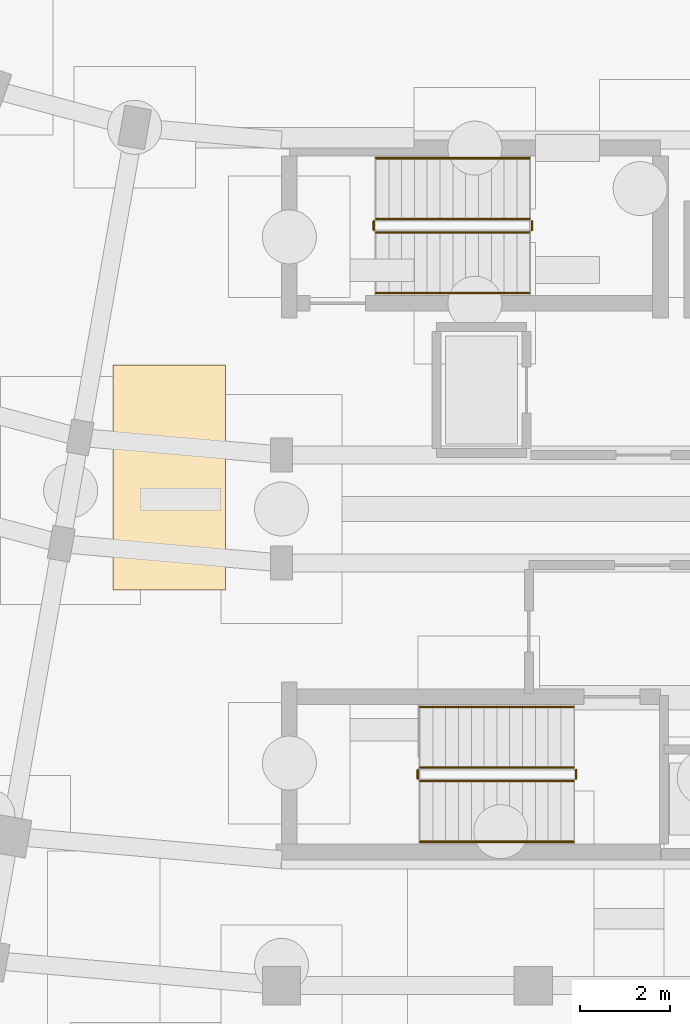
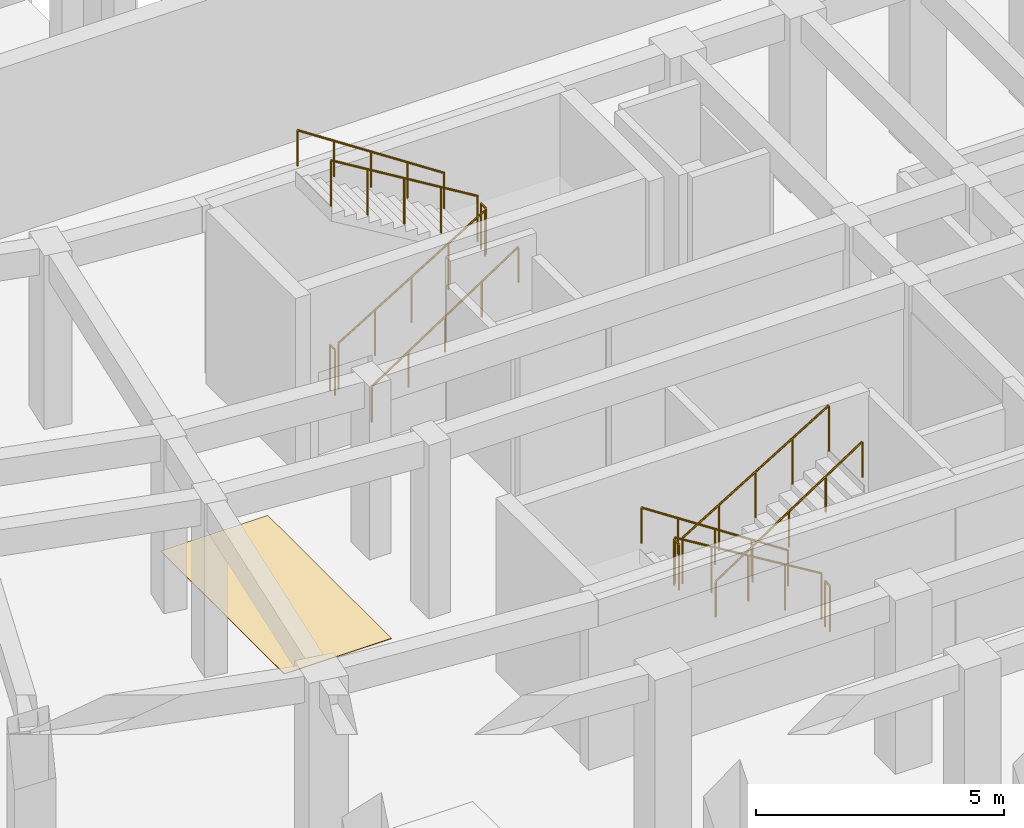
# One storey, part 41 of 53: 12 railings, 1 covering.
"""IFC4 building model written with IfcOpenShell, lengths in metres."""

import ifcopenshell
import ifcopenshell.guid

model = None  # the IFC model being written
_history = None  # IfcOwnerHistory: only IFC2X3 demands one
_inside = {}  # id of a spatial element -> (the spatial element, [elements in it])
_under = {}  # id of a project, library or spatial element -> (it, [spatial elements below it])
_declared = {}  # id of a project -> (the project, [libraries it declares])
_typed = {}  # id of a type object -> (the type object, [elements of that type])
_made_of = {}  # id of a material, layer set ... -> (it, [elements and type objects made of it])


def new_model(schema):
    """Start an empty IFC model of exactly this schema.

    Asked for "IFC4X3", IfcOpenShell would pick the latest addendum, in which some entities
    have other attributes; the version numbers below select the first issue.
    IFC2X3 requires an IfcOwnerHistory on every rooted entity: one is made here for all.
    """
    global model, _history
    if schema == "IFC4X3":
        model = ifcopenshell.file(schema_version=(4, 3, 0, 0))
    else:
        model = ifcopenshell.file(schema=schema)
    _inside.clear()
    _under.clear()
    _declared.clear()
    _typed.clear()
    _made_of.clear()
    _history = None
    if model.schema == "IFC2X3":
        org = make("IfcOrganization", Name="unknown")
        user = make(
            "IfcPersonAndOrganization",
            ThePerson=make("IfcPerson", FamilyName="unknown"),
            TheOrganization=org,
        )
        app = make(
            "IfcApplication",
            ApplicationDeveloper=org,
            Version="unknown",
            ApplicationFullName="unknown",
            ApplicationIdentifier="unknown",
        )
        _history = make(
            "IfcOwnerHistory",
            OwningUser=user,
            OwningApplication=app,
            ChangeAction="ADDED",
            CreationDate=0,
        )
    return model


def make(cls, **values):
    """One entity of the class cls with the attributes given. An attribute that is None is left unset."""
    return model.create_entity(
        cls, **{name: value for name, value in values.items() if value is not None}
    )


def rooted(cls, **values):
    """An entity with a GlobalId (a new one), such as an element, a storey or a relation."""
    return make(cls, GlobalId=ifcopenshell.guid.new(), OwnerHistory=_history, **values)


def si_unit(unit_type, name, prefix=None):
    """IfcSIUnit, for example si_unit("LENGTHUNIT", "METRE", prefix="MILLI")."""
    return make("IfcSIUnit", UnitType=unit_type, Prefix=prefix, Name=name)


def assignment(units):
    """IfcUnitAssignment: the units of a project."""
    return None if units is None else make("IfcUnitAssignment", Units=units)


def point(xyz):
    """IfcCartesianPoint."""
    return None if xyz is None else make("IfcCartesianPoint", Coordinates=xyz)


def direction(xyz):
    """IfcDirection."""
    return None if xyz is None else make("IfcDirection", DirectionRatios=xyz)


def frame(location, z_axis=None, x_axis=None):
    """IfcAxis2Placement3D, a coordinate frame: its origin and axes. An axis left out is left unset."""
    return make(
        "IfcAxis2Placement3D",
        Location=point(location),
        Axis=direction(z_axis),
        RefDirection=direction(x_axis),
    )


def frame_2d(location, x_axis=None):
    """IfcAxis2Placement2D, a coordinate frame in the plane: its origin and x axis."""
    return make(
        "IfcAxis2Placement2D", Location=point(location), RefDirection=direction(x_axis)
    )


def origin():
    """The frame at (0, 0, 0) with its axes left unset."""
    return frame((0.0, 0.0, 0.0))


def origin_2d():
    """The frame at (0, 0) in the plane with its x axis left unset."""
    return frame_2d((0.0, 0.0))


def place(relative_to, where):
    """IfcLocalPlacement: puts the frame where relative to a parent placement (None: the world)."""
    return make(
        "IfcLocalPlacement", PlacementRelTo=relative_to, RelativePlacement=where
    )


def context(
    kind, dimensions, precision=None, world=None, true_north=None, identifier=None
):
    """IfcGeometricRepresentationContext, for example the 3D "Model" context."""
    return make(
        "IfcGeometricRepresentationContext",
        ContextIdentifier=identifier,
        ContextType=kind,
        CoordinateSpaceDimension=dimensions,
        Precision=precision,
        WorldCoordinateSystem=world,
        TrueNorth=true_north,
    )


def subcontext(parent, identifier, kind, view, scale=None):
    """IfcGeometricRepresentationSubContext, for example "Body" below "Model"."""
    return make(
        "IfcGeometricRepresentationSubContext",
        ContextIdentifier=identifier,
        ContextType=kind,
        ParentContext=parent,
        TargetScale=scale,
        TargetView=view,
    )


def project(units=None, contexts=None):
    """IfcProject with its units and contexts."""
    return rooted(
        "IfcProject",
        Name="project",
        RepresentationContexts=contexts,
        UnitsInContext=assignment(units),
    )


def spatial(cls, under=None, at=None, **own):
    """A site, building, storey or space (cls), placed at a placement, below another one or the project."""
    s = rooted(cls, ObjectPlacement=at, **own)
    if under is not None:
        _under.setdefault(under.id(), (under, []))[1].append(s)
    return s


def polyline(points):
    """IfcPolyline through the points."""
    return make("IfcPolyline", Points=[point(p) for p in points])


def profile(cls, at=None, kind="AREA", **sizes):
    """A parametric profile (cls). Its sizes go by their IFC names, for example OverallWidth=200.0."""
    return make(cls, ProfileType=kind, Position=at, **sizes)


def circle(**sizes):
    """IfcCircleProfileDef."""
    return profile("IfcCircleProfileDef", **sizes)


def outline(outer, holes=None, kind="AREA"):
    """IfcArbitraryClosedProfileDef: a profile drawn as a closed curve; with holes, ...WithVoids."""
    if holes is None:
        return make("IfcArbitraryClosedProfileDef", ProfileType=kind, OuterCurve=outer)
    return make(
        "IfcArbitraryProfileDefWithVoids",
        ProfileType=kind,
        OuterCurve=outer,
        InnerCurves=holes,
    )


def extrude(swept, where, along, depth):
    """IfcExtrudedAreaSolid: the profile swept, set in the frame where, extruded along a direction by depth."""
    return make(
        "IfcExtrudedAreaSolid",
        SweptArea=swept,
        Position=where,
        ExtrudedDirection=direction(along),
        Depth=depth,
    )


def shape(context_of_items, identifier, shape_type, items):
    """IfcShapeRepresentation: the items that make up one representation, for example the "Body"."""
    return make(
        "IfcShapeRepresentation",
        ContextOfItems=context_of_items,
        RepresentationIdentifier=identifier,
        RepresentationType=shape_type,
        Items=items,
    )


def material(Name=None, Category=None):
    """IfcMaterial."""
    return make("IfcMaterial", Name=Name, Category=Category)


def layer(
    of_material, thickness, ventilated=None, Name=None, Category=None, Priority=None
):
    """IfcMaterialLayer: one layer of a wall or slab, of a material (None: an air gap)."""
    return make(
        "IfcMaterialLayer",
        Material=of_material,
        LayerThickness=thickness,
        IsVentilated=ventilated,
        Name=Name,
        Category=Category,
        Priority=Priority,
    )


def layer_set(layers, Name=None):
    """IfcMaterialLayerSet."""
    return make("IfcMaterialLayerSet", MaterialLayers=layers, LayerSetName=Name)


def made_of(thing, what):
    """Note that an element or type object is made of a material, layer set ...; save() writes the relation."""
    if what is not None:
        _made_of.setdefault(what.id(), (what, []))[1].append(thing)
    return thing


def type_object(cls, material=None, **own):
    """A type object (cls), such as IfcWallType, which elements share."""
    return made_of(rooted(cls, **own), material)


def element(
    cls,
    number,
    at=None,
    inside=None,
    cuts=None,
    type_object=None,
    material=None,
    context=None,
    identifier="Body",
    shape_type=None,
    held_by="IfcProductDefinitionShape",
    body=None,
    shapes=None,
    **own,
):
    """One element of the class cls, such as IfcWall. Its Tag is "e" and its number.

    at: its placement. inside: the storey or other place that contains it. cuts: it is an
    opening in that element (IfcRelVoidsElement). A single representation is given by context,
    identifier, shape_type and body (its items); several are given by shapes. held_by: the class
    of the entity that holds the representations. save() writes the other relations.
    """
    e = rooted(cls, Tag="e%d" % number, ObjectPlacement=at, **own)
    if body is not None:
        shapes = [shape(context, identifier, shape_type, body)]
    if shapes is not None:
        e.Representation = make(held_by, Representations=shapes)
    if inside is not None:
        _inside.setdefault(inside.id(), (inside, []))[1].append(e)
    if cuts is not None:
        rooted(
            "IfcRelVoidsElement", RelatingBuildingElement=cuts, RelatedOpeningElement=e
        )
    if type_object is not None:
        _typed.setdefault(type_object.id(), (type_object, []))[1].append(e)
    return made_of(e, material)


def aggregate(whole, parts):
    """IfcRelAggregates: a whole, such as a stair, and the parts it consists of."""
    return rooted("IfcRelAggregates", RelatingObject=whole, RelatedObjects=parts)


def save(model, path):
    """Write the relations noted so far, then the file.

    IfcRelAggregates (storeys below a building ...), IfcRelContainedInSpatialStructure (elements
    in a storey), IfcRelDefinesByType, IfcRelAssociatesMaterial and IfcRelDeclares: one each for
    every whole, place, type object, material and project.
    """
    for whole, parts in _under.values():
        aggregate(whole, parts)
    for where, things in _inside.values():
        rooted(
            "IfcRelContainedInSpatialStructure",
            RelatedElements=things,
            RelatingStructure=where,
        )
    for kind, things in _typed.values():
        rooted("IfcRelDefinesByType", RelatedObjects=things, RelatingType=kind)
    for what, things in _made_of.values():
        rooted("IfcRelAssociatesMaterial", RelatedObjects=things, RelatingMaterial=what)
    for by, libraries in _declared.values():
        rooted("IfcRelDeclares", RelatingContext=by, RelatedDefinitions=libraries)
    model.write(path)


model = new_model("IFC4")

# Units and contexts
model_context = context("Model", 3, precision=1e-05, world=origin(), true_north=direction((0.0, 1.0)))
body_context = subcontext(model_context, "Body", "Model", "MODEL_VIEW")
ifc_project = project(units=[si_unit("LENGTHUNIT", "METRE"), si_unit("AREAUNIT", "SQUARE_METRE"), si_unit("VOLUMEUNIT", "CUBIC_METRE"), si_unit("PLANEANGLEUNIT", "RADIAN"), si_unit("MASSUNIT", "GRAM", prefix="KILO")], contexts=[model_context])

# Site, building, storey
site_placement = place(None, origin())
site = spatial("IfcSite", under=ifc_project, at=site_placement, CompositionType="ELEMENT")
building_placement = place(site_placement, origin())
building = spatial("IfcBuilding", under=site, at=building_placement, Name="Kiranvali Square Residences", CompositionType="ELEMENT")
storey_placement = place(building_placement, frame((0.0, 0.0, -4.5)))
storey = spatial("IfcBuildingStorey", under=building, at=storey_placement, Name="B1", CompositionType="ELEMENT", Elevation=-4.5)

# Covering
ifc_material_1 = material(Name="Polished terrazzo and anti-slip vitrified floor finish", Category="stone")
ifc_layer = layer(ifc_material_1, 0.014892578125)
ifc_layer_set = layer_set([ifc_layer], Name="Polished terrazzo and anti-slip vitrified floor finish")
covering_type = type_object("IfcCoveringType", Name="COV-BAY-STD", PredefinedType="FLOORING", material=ifc_layer_set)
covering_placement = place(storey_placement, origin())
element("IfcCovering", 1, at=covering_placement, inside=storey, type_object=covering_type, Name="Standard Car Parking Bay P-001", PredefinedType="FLOORING", context=body_context, shape_type="SweptSolid", body=[
    extrude(outline(polyline([(44.449951171875, 19.39990234375), (46.949951171875, 19.39990234375), (46.949951171875, 24.39990234375), (44.449951171875, 24.39990234375), (44.449951171875, 19.39990234375)])), origin(), (0.0, 0.0, 1.0), 0.014892578125),
])

# Railings
ifc_material_2 = material(Name="Brushed stainless steel tubular handrail", Category="steel")
railing_type_1 = type_object("IfcRailingType", Name="RL-HANDRAIL-900", PredefinedType="HANDRAIL", material=ifc_material_2)
railing_1_placement = place(storey_placement, frame((54.699951171875, 16.800048828125, 0.173095703125)))
element("IfcRailing", 2, at=railing_1_placement, inside=storey, type_object=railing_type_1, Name="B1 ST-C1 stair handrail 1", PredefinedType="HANDRAIL", context=body_context, shape_type="SweptSolid", body=[
    extrude(circle(Radius=0.02392578125, at=origin_2d()), frame((0.0, 0.0, 0.8759765625), z_axis=(-0.835411317272, 0.0, 0.549625264133), x_axis=(0.0, -1.0, 0.0)), (0.0, 0.0, 1.0), 4.09375),
    extrude(circle(Radius=0.02099609375, at=origin_2d()), origin(), (0.0, 0.0, 1.0), 0.851806640625),
    extrude(circle(Radius=0.02099609375, at=origin_2d()), frame((-0.85498046875, 0.0, 0.5625)), (0.0, 0.0, 1.0), 0.851806640625),
    extrude(circle(Radius=0.02099609375, at=origin_2d()), frame((-1.7099609375, 0.0, 1.125)), (0.0, 0.0, 1.0), 0.851806640625),
    extrude(circle(Radius=0.02099609375, at=origin_2d()), frame((-2.56494140625, 0.0, 1.6875)), (0.0, 0.0, 1.0), 0.851806640625),
    extrude(circle(Radius=0.02099609375, at=origin_2d()), frame((-3.419921875, 0.0, 2.25)), (0.0, 0.0, 1.0), 0.851806640625),
])
for number, where, name in (
    (3, (51.280029296875, 13.800048828125, 2.423095703125), "B1 ST-C1 stair handrail 2"),
    (4, (50.300048828125, 26.0, 0.173095703125), "B1 ST-C2 stair handrail 1"),
):
    element("IfcRailing", number, at=place(storey_placement, frame(where)), inside=storey, type_object=railing_type_1, Name=name, PredefinedType="HANDRAIL", context=body_context, shape_type="SweptSolid", body=[
        extrude(circle(Radius=0.02392578125, at=origin_2d()), frame((0.0, 0.0, 0.8759765625), z_axis=(0.835411317272, 0.0, 0.549625264133), x_axis=(0.0, 1.0, 0.0)), (0.0, 0.0, 1.0), 4.09375),
        extrude(circle(Radius=0.02099609375, at=origin_2d()), origin(), (0.0, 0.0, 1.0), 0.851806640625),
        extrude(circle(Radius=0.02099609375, at=origin_2d()), frame((0.85498046875, 0.0, 0.5625)), (0.0, 0.0, 1.0), 0.851806640625),
        extrude(circle(Radius=0.02099609375, at=origin_2d()), frame((1.7099609375, 0.0, 1.125)), (0.0, 0.0, 1.0), 0.851806640625),
        extrude(circle(Radius=0.02099609375, at=origin_2d()), frame((2.56494140625, 0.0, 1.6875)), (0.0, 0.0, 1.0), 0.851806640625),
        extrude(circle(Radius=0.02099609375, at=origin_2d()), frame((3.419921875, 0.0, 2.25)), (0.0, 0.0, 1.0), 0.851806640625),
    ])
railing_2_placement = place(storey_placement, frame((53.719970703125, 29.0, 2.423095703125)))
element("IfcRailing", 5, at=railing_2_placement, inside=storey, type_object=railing_type_1, Name="B1 ST-C2 stair handrail 2", PredefinedType="HANDRAIL", context=body_context, shape_type="SweptSolid", body=[
    extrude(circle(Radius=0.02392578125, at=origin_2d()), frame((0.0, 0.0, 0.8759765625), z_axis=(-0.835411317272, 0.0, 0.549625264133), x_axis=(0.0, -1.0, 0.0)), (0.0, 0.0, 1.0), 4.09375),
    extrude(circle(Radius=0.02099609375, at=origin_2d()), origin(), (0.0, 0.0, 1.0), 0.851806640625),
    extrude(circle(Radius=0.02099609375, at=origin_2d()), frame((-0.85498046875, 0.0, 0.5625)), (0.0, 0.0, 1.0), 0.851806640625),
    extrude(circle(Radius=0.02099609375, at=origin_2d()), frame((-1.7099609375, 0.0, 1.125)), (0.0, 0.0, 1.0), 0.851806640625),
    extrude(circle(Radius=0.02099609375, at=origin_2d()), frame((-2.56494140625, 0.0, 1.6875)), (0.0, 0.0, 1.0), 0.851806640625),
    extrude(circle(Radius=0.02099609375, at=origin_2d()), frame((-3.419921875, 0.0, 2.25)), (0.0, 0.0, 1.0), 0.851806640625),
])
ifc_material_3 = material(Name="Powder-coated architectural bronze balustrade", Category="steel")
railing_type_2 = type_object("IfcRailingType", Name="RL-ST-GUARD-1200", PredefinedType="GUARDRAIL", material=ifc_material_3)
railing_3_placement = place(storey_placement, frame((54.699951171875, 15.449951171875, 0.173095703125)))
element("IfcRailing", 6, at=railing_3_placement, inside=storey, type_object=railing_type_2, Name="B1 ST-C1 stair guard 1", PredefinedType="GUARDRAIL", context=body_context, shape_type="SweptSolid", body=[
    extrude(circle(Radius=0.02392578125, at=origin_2d()), frame((0.0, 0.0, 1.1259765625), z_axis=(-0.854729506542, 0.0, 0.519073665916), x_axis=(0.0, -1.0, 0.0)), (0.0, 0.0, 1.0), 4.001220703125),
    extrude(circle(Radius=0.02099609375, at=origin_2d()), origin(), (0.0, 0.0, 1.0), 1.101806640625),
    extrude(circle(Radius=0.02099609375, at=origin_2d()), frame((-0.85498046875, 0.0, 0.519287109375)), (0.0, 0.0, 1.0), 1.101806640625),
    extrude(circle(Radius=0.02099609375, at=origin_2d()), frame((-1.7099609375, 0.0, 1.03857421875)), (0.0, 0.0, 1.0), 1.101806640625),
    extrude(circle(Radius=0.02099609375, at=origin_2d()), frame((-2.56494140625, 0.0, 1.5576171875)), (0.0, 0.0, 1.0), 1.101806640625),
    extrude(circle(Radius=0.02099609375, at=origin_2d()), frame((-3.419921875, 0.0, 2.076904296875)), (0.0, 0.0, 1.0), 1.101806640625),
])
railing_4_placement = place(storey_placement, frame((51.22998046875, 15.39990234375, 2.25)))
element("IfcRailing", 7, at=railing_4_placement, inside=storey, type_object=railing_type_2, Name="B1 ST-C1 stair guard 2", PredefinedType="GUARDRAIL", context=body_context, shape_type="SweptSolid", body=[
    extrude(circle(Radius=0.02392578125, at=origin_2d()), frame((0.0, 0.0, 1.1259765625), z_axis=(0.0, -1.0, 0.0), x_axis=(1.0, 0.0, 0.0)), (0.0, 0.0, 1.0), 0.199951171875),
    extrude(circle(Radius=0.02099609375, at=origin_2d()), origin(), (0.0, 0.0, 1.0), 1.101806640625),
    extrude(circle(Radius=0.02099609375, at=origin_2d()), frame((0.0, -0.199951171875, 0.0)), (0.0, 0.0, 1.0), 1.101806640625),
])
railing_5_placement = place(storey_placement, frame((51.280029296875, 15.14990234375, 2.423095703125)))
element("IfcRailing", 8, at=railing_5_placement, inside=storey, type_object=railing_type_2, Name="B1 ST-C1 stair guard 3", PredefinedType="GUARDRAIL", context=body_context, shape_type="SweptSolid", body=[
    extrude(circle(Radius=0.02392578125, at=origin_2d()), frame((0.0, 0.0, 1.1259765625), z_axis=(0.854729506542, 0.0, 0.519073665916), x_axis=(0.0, 1.0, 0.0)), (0.0, 0.0, 1.0), 4.001220703125),
    extrude(circle(Radius=0.02099609375, at=origin_2d()), origin(), (0.0, 0.0, 1.0), 1.101806640625),
    extrude(circle(Radius=0.02099609375, at=origin_2d()), frame((0.85498046875, 0.0, 0.519287109375)), (0.0, 0.0, 1.0), 1.101806640625),
    extrude(circle(Radius=0.02099609375, at=origin_2d()), frame((1.7099609375, 0.0, 1.03857421875)), (0.0, 0.0, 1.0), 1.101806640625),
    extrude(circle(Radius=0.02099609375, at=origin_2d()), frame((2.56494140625, 0.0, 1.5576171875)), (0.0, 0.0, 1.0), 1.101806640625),
    extrude(circle(Radius=0.02099609375, at=origin_2d()), frame((3.419921875, 0.0, 2.076904296875)), (0.0, 0.0, 1.0), 1.101806640625),
])
railing_6_placement = place(storey_placement, frame((54.75, 15.39990234375, 0.0)))
element("IfcRailing", 9, at=railing_6_placement, inside=storey, type_object=railing_type_2, Name="B1 ST-C1 stair guard 4", PredefinedType="GUARDRAIL", context=body_context, shape_type="SweptSolid", body=[
    extrude(circle(Radius=0.02392578125, at=origin_2d()), frame((0.0, 0.0, 1.1259765625), z_axis=(0.0, -1.0, 0.0), x_axis=(1.0, 0.0, 0.0)), (0.0, 0.0, 1.0), 0.199951171875),
    extrude(circle(Radius=0.02099609375, at=origin_2d()), origin(), (0.0, 0.0, 1.0), 1.101806640625),
    extrude(circle(Radius=0.02099609375, at=origin_2d()), frame((0.0, -0.199951171875, 0.0)), (0.0, 0.0, 1.0), 1.101806640625),
])
railing_7_placement = place(storey_placement, frame((50.300048828125, 27.35009765625, 0.173095703125)))
element("IfcRailing", 10, at=railing_7_placement, inside=storey, type_object=railing_type_2, Name="B1 ST-C2 stair guard 1", PredefinedType="GUARDRAIL", context=body_context, shape_type="SweptSolid", body=[
    extrude(circle(Radius=0.02392578125, at=origin_2d()), frame((0.0, 0.0, 1.1259765625), z_axis=(0.854729506542, 0.0, 0.519073665916), x_axis=(0.0, 1.0, 0.0)), (0.0, 0.0, 1.0), 4.001220703125),
    extrude(circle(Radius=0.02099609375, at=origin_2d()), origin(), (0.0, 0.0, 1.0), 1.101806640625),
    extrude(circle(Radius=0.02099609375, at=origin_2d()), frame((0.85498046875, 0.0, 0.519287109375)), (0.0, 0.0, 1.0), 1.101806640625),
    extrude(circle(Radius=0.02099609375, at=origin_2d()), frame((1.7099609375, 0.0, 1.03857421875)), (0.0, 0.0, 1.0), 1.101806640625),
    extrude(circle(Radius=0.02099609375, at=origin_2d()), frame((2.56494140625, 0.0, 1.5576171875)), (0.0, 0.0, 1.0), 1.101806640625),
    extrude(circle(Radius=0.02099609375, at=origin_2d()), frame((3.419921875, 0.0, 2.076904296875)), (0.0, 0.0, 1.0), 1.101806640625),
])
railing_8_placement = place(storey_placement, frame((53.77001953125, 27.39990234375, 2.25)))
element("IfcRailing", 11, at=railing_8_placement, inside=storey, type_object=railing_type_2, Name="B1 ST-C2 stair guard 2", PredefinedType="GUARDRAIL", context=body_context, shape_type="SweptSolid", body=[
    extrude(circle(Radius=0.02392578125, at=origin_2d()), frame((0.0, 0.0, 1.1259765625), z_axis=(0.0, 1.0, 0.0), x_axis=(-1.0, 0.0, 0.0)), (0.0, 0.0, 1.0), 0.2001953125),
    extrude(circle(Radius=0.02099609375, at=origin_2d()), origin(), (0.0, 0.0, 1.0), 1.101806640625),
    extrude(circle(Radius=0.02099609375, at=origin_2d()), frame((0.0, 0.2001953125, 0.0)), (0.0, 0.0, 1.0), 1.101806640625),
])
railing_9_placement = place(storey_placement, frame((53.719970703125, 27.64990234375, 2.423095703125)))
element("IfcRailing", 12, at=railing_9_placement, inside=storey, type_object=railing_type_2, Name="B1 ST-C2 stair guard 3", PredefinedType="GUARDRAIL", context=body_context, shape_type="SweptSolid", body=[
    extrude(circle(Radius=0.02392578125, at=origin_2d()), frame((0.0, 0.0, 1.1259765625), z_axis=(-0.854729506542, 0.0, 0.519073665916), x_axis=(0.0, -1.0, 0.0)), (0.0, 0.0, 1.0), 4.001220703125),
    extrude(circle(Radius=0.02099609375, at=origin_2d()), origin(), (0.0, 0.0, 1.0), 1.101806640625),
    extrude(circle(Radius=0.02099609375, at=origin_2d()), frame((-0.85498046875, 0.0, 0.519287109375)), (0.0, 0.0, 1.0), 1.101806640625),
    extrude(circle(Radius=0.02099609375, at=origin_2d()), frame((-1.7099609375, 0.0, 1.03857421875)), (0.0, 0.0, 1.0), 1.101806640625),
    extrude(circle(Radius=0.02099609375, at=origin_2d()), frame((-2.56494140625, 0.0, 1.5576171875)), (0.0, 0.0, 1.0), 1.101806640625),
    extrude(circle(Radius=0.02099609375, at=origin_2d()), frame((-3.419921875, 0.0, 2.076904296875)), (0.0, 0.0, 1.0), 1.101806640625),
])
railing_10_placement = place(storey_placement, frame((50.25, 27.39990234375, 0.0)))
element("IfcRailing", 13, at=railing_10_placement, inside=storey, type_object=railing_type_2, Name="B1 ST-C2 stair guard 4", PredefinedType="GUARDRAIL", context=body_context, shape_type="SweptSolid", body=[
    extrude(circle(Radius=0.02392578125, at=origin_2d()), frame((0.0, 0.0, 1.1259765625), z_axis=(0.0, 1.0, 0.0), x_axis=(-1.0, 0.0, 0.0)), (0.0, 0.0, 1.0), 0.2001953125),
    extrude(circle(Radius=0.02099609375, at=origin_2d()), origin(), (0.0, 0.0, 1.0), 1.101806640625),
    extrude(circle(Radius=0.02099609375, at=origin_2d()), frame((0.0, 0.2001953125, 0.0)), (0.0, 0.0, 1.0), 1.101806640625),
])

save(model, "model.ifc")
